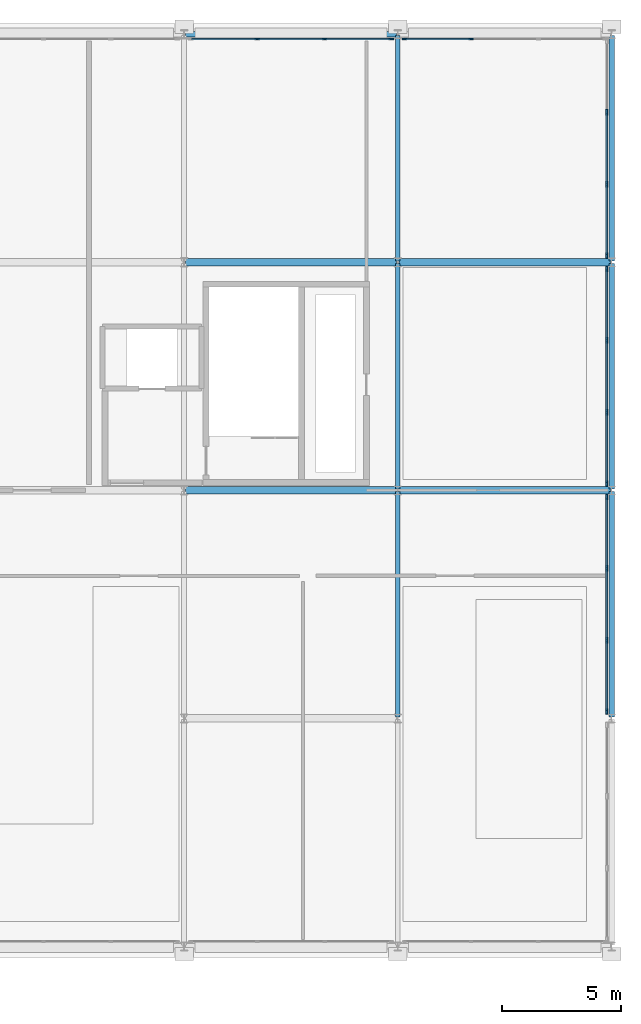
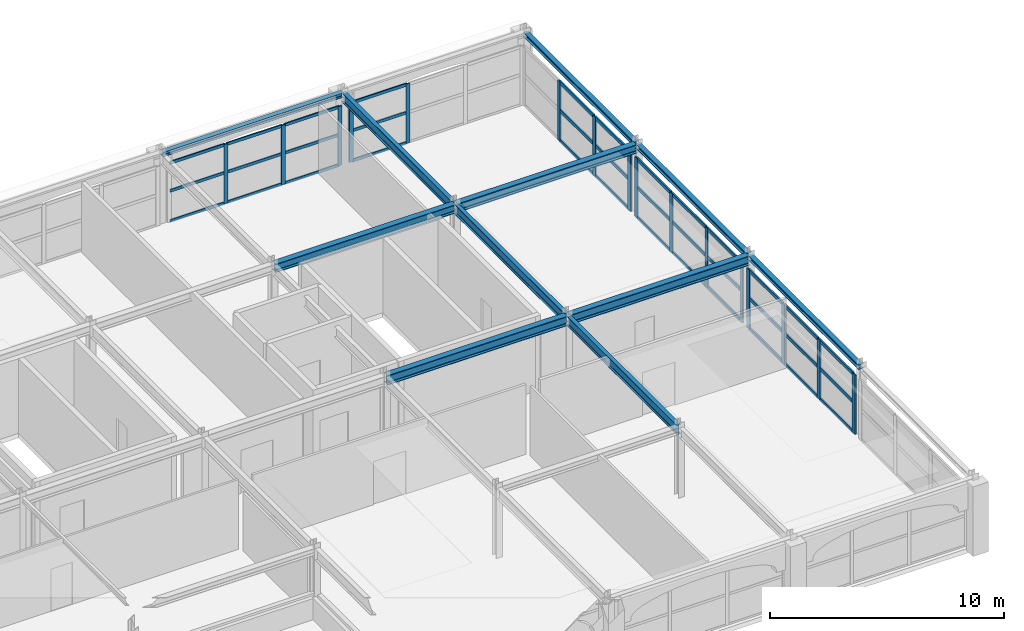
# One storey, part 15 of 25: 52 members, 11 beams, 5 elements without a shape of their own.
"""IFC4 building model written with IfcOpenShell, lengths in metres."""

from ifc_helpers import new_model, si_unit, direction, frame, origin, origin_2d, place, context, subcontext, project, spatial, rectangle, i_section, extrude, material, layer, layer_set, material_profile, profile_set, type_object, element, aggregate, save


model = new_model("IFC4")

# Units and contexts
model_context = context("Model", 3, precision=1e-05, world=origin(), true_north=direction((0.0, 1.0)))
body_context = subcontext(model_context, "Body", "Model", "MODEL_VIEW")
ifc_project = project(units=[si_unit("LENGTHUNIT", "METRE"), si_unit("AREAUNIT", "SQUARE_METRE"), si_unit("VOLUMEUNIT", "CUBIC_METRE"), si_unit("PLANEANGLEUNIT", "RADIAN"), si_unit("MASSUNIT", "GRAM", prefix="KILO")], contexts=[model_context])

# Site, building, storey
site_placement = place(None, origin())
site = spatial("IfcSite", under=ifc_project, at=site_placement, CompositionType="ELEMENT")
building_placement = place(site_placement, origin())
building = spatial("IfcBuilding", under=site, at=building_placement, Name="Myrtia Square Station", CompositionType="ELEMENT")
storey_placement = place(building_placement, frame((0.0, 0.0, 18.89990234375)))
storey = spatial("IfcBuildingStorey", under=building, at=storey_placement, Name="L04", CompositionType="ELEMENT", Elevation=18.89990234375)

# Beams
ifc_material_1 = material(Name="Steel S355", Category="steel")
ifc_material_profile_1 = material_profile(ifc_material_1, i_section(OverallWidth=0.300048828125, OverallDepth=0.449951171875, WebThickness=0.013916015625, FlangeThickness=0.02587890625, FilletRadius=0.027099609375, at=origin_2d()), Name="HEB 450")
ifc_profile_set_1 = profile_set([ifc_material_profile_1], Name="Steel S355")
beam_type_1 = type_object("IfcBeamType", Name="BM-HEB450", PredefinedType="BEAM", material=ifc_profile_set_1)
for number, where, z_axis, x_axis, name in (
    (1, (171.050048828125, 115.199951171875, 3.43017578125), (1.0, 0.0, 0.0), (0.0, 1.0, 0.0), "Structural girder BMX-L04-0892"),
    (2, (180.050048828125, 115.199951171875, 3.43017578125), (1.0, 0.0, 0.0), (0.0, 1.0, 0.0), "Structural girder BMX-L04-0893"),
):
    element("IfcBeam", number, at=place(storey_placement, frame(where, z_axis=z_axis, x_axis=x_axis)), inside=storey, type_object=beam_type_1, Name=name, PredefinedType="BEAM", context=body_context, shape_type="SweptSolid", body=[
        extrude(i_section(OverallWidth=0.300048828125, OverallDepth=0.449951171875, WebThickness=0.013916015625, FlangeThickness=0.02587890625, FilletRadius=0.027099609375, at=origin_2d()), origin(), (0.0, 0.0, 1.0), 8.89990234375),
    ])
ifc_material_profile_2 = material_profile(ifc_material_1, i_section(OverallWidth=0.300048828125, OverallDepth=0.5, WebThickness=0.014404296875, FlangeThickness=0.028076171875, FilletRadius=0.027099609375, at=origin_2d()), Name="HEB 500")
ifc_profile_set_2 = profile_set([ifc_material_profile_2], Name="Steel S355")
beam_type_2 = type_object("IfcBeamType", Name="BM-HEB500", PredefinedType="BEAM", material=ifc_profile_set_2)
for number, where, z_axis, x_axis, name in (
    (3, (171.050048828125, 105.60009765625, 3.405029296875), (1.0, 0.0, 0.0), (0.0, 1.0, 0.0), "Structural girder BMX-L04-0885"),
    (4, (180.050048828125, 105.60009765625, 3.405029296875), (1.0, 0.0, 0.0), (0.0, 1.0, 0.0), "Structural girder BMX-L04-0886"),
):
    element("IfcBeam", number, at=place(storey_placement, frame(where, z_axis=z_axis, x_axis=x_axis)), inside=storey, type_object=beam_type_2, Name=name, PredefinedType="BEAM", context=body_context, shape_type="SweptSolid", body=[
        extrude(i_section(OverallWidth=0.300048828125, OverallDepth=0.5, WebThickness=0.014404296875, FlangeThickness=0.028076171875, FilletRadius=0.027099609375, at=origin_2d()), origin(), (0.0, 0.0, 1.0), 8.89990234375),
    ])
ifc_material_profile_3 = material_profile(ifc_material_1, i_section(OverallWidth=0.199951171875, OverallDepth=0.5, WebThickness=0.01025390625, FlangeThickness=0.01611328125, FilletRadius=0.02099609375, at=origin_2d()), Name="IPE 500")
ifc_profile_set_3 = profile_set([ifc_material_profile_3], Name="Steel S355")
beam_type_3 = type_object("IfcBeamType", Name="BM-IPE500", PredefinedType="BEAM", material=ifc_profile_set_3)
for number, where, z_axis, x_axis, name in (
    (5, (180.0, 96.050048828125, 3.405029296875), (0.0, 1.0, 0.0), (-1.0, 0.0, 0.0), "Structural girder BMY-L04-0918"),
    (6, (180.0, 105.64990234375, 3.405029296875), (0.0, 1.0, 0.0), (-1.0, 0.0, 0.0), "Structural girder BMY-L04-0919"),
    (7, (180.0, 115.25, 3.405029296875), (0.0, 1.0, 0.0), (-1.0, 0.0, 0.0), "Structural girder BMY-L04-0920"),
):
    element("IfcBeam", number, at=place(storey_placement, frame(where, z_axis=z_axis, x_axis=x_axis)), inside=storey, type_object=beam_type_3, Name=name, PredefinedType="BEAM", context=body_context, shape_type="SweptSolid", body=[
        extrude(i_section(OverallWidth=0.199951171875, OverallDepth=0.5, WebThickness=0.01025390625, FlangeThickness=0.01611328125, FilletRadius=0.02099609375, at=origin_2d()), origin(), (0.0, 0.0, 1.0), 9.5),
    ])

# Curtain wall, members
ifc_material_2 = material(Name="Dark bronze anodised aluminium", Category="aluminium")
ifc_layer_1 = layer(ifc_material_2, 0.159912109375, Name="Dark bronze anodised aluminium")
ifc_layer_set_1 = layer_set([ifc_layer_1], Name="Dark bronze anodised aluminium")
curtain_wall_type_1 = type_object("IfcCurtainWallType", Name="CW-TYPE-42-850x310", PredefinedType="USERDEFINED", material=ifc_layer_set_1)
curtain_wall_1_placement = place(storey_placement, origin())
curtain_wall_1 = element("IfcCurtainWall", 8, at=curtain_wall_1_placement, inside=storey, type_object=curtain_wall_type_1, Name="Concourse curtain wall CW-L04-144", ObjectType="CONCOURSE CURTAIN WALL", PredefinedType="USERDEFINED")
ifc_material_profile_4 = material_profile(ifc_material_2, rectangle(XDim=0.06494140625, YDim=0.199951171875, at=origin_2d()), Name="ALU-M 65x200")
ifc_profile_set_4 = profile_set([ifc_material_profile_4], Name="Dark bronze anodised aluminium")
member_type_1 = type_object("IfcMemberType", Name="CWM-65x200", PredefinedType="MULLION", material=ifc_profile_set_4)
member_1_placement = place(storey_placement, frame((174.083251953125, 124.60009765625, 0.0), z_axis=(0.0, 0.0, 1.0), x_axis=(0.0, 1.0, 0.0)))
member_1 = element("IfcMember", 9, at=member_1_placement, type_object=member_type_1, Name="CW-144 mullion 2", PredefinedType="MULLION", context=body_context, shape_type="SweptSolid", body=[
    extrude(rectangle(XDim=0.06494140625, YDim=0.199951171875, at=origin_2d()), origin(), (0.0, 0.0, 1.0), 3.10009765625),
])
member_2_placement = place(storey_placement, frame((176.916748046875, 124.60009765625, 0.0), z_axis=(0.0, 0.0, 1.0), x_axis=(0.0, 1.0, 0.0)))
member_2 = element("IfcMember", 10, at=member_2_placement, type_object=member_type_1, Name="CW-144 mullion 3", PredefinedType="MULLION", context=body_context, shape_type="SweptSolid", body=[
    extrude(rectangle(XDim=0.06494140625, YDim=0.199951171875, at=origin_2d()), origin(), (0.0, 0.0, 1.0), 3.10009765625),
])
member_3_placement = place(storey_placement, frame((179.717529296875, 124.60009765625, 0.0), z_axis=(0.0, 0.0, 1.0), x_axis=(0.0, 1.0, 0.0)))
member_3 = element("IfcMember", 11, at=member_3_placement, type_object=member_type_1, Name="CW-144 mullion 4", PredefinedType="MULLION", context=body_context, shape_type="SweptSolid", body=[
    extrude(rectangle(XDim=0.06494140625, YDim=0.199951171875, at=origin_2d()), origin(), (0.0, 0.0, 1.0), 3.10009765625),
])

curtain_wall_2_placement = place(storey_placement, origin())
curtain_wall_2 = element("IfcCurtainWall", 12, at=curtain_wall_2_placement, inside=storey, type_object=curtain_wall_type_1, Name="Concourse curtain wall CW-L04-149", ObjectType="CONCOURSE CURTAIN WALL", PredefinedType="USERDEFINED")
member_4_placement = place(storey_placement, frame((180.282470703125, 124.60009765625, 0.0), z_axis=(0.0, 0.0, 1.0), x_axis=(0.0, 1.0, 0.0)))
member_4 = element("IfcMember", 13, at=member_4_placement, type_object=member_type_1, Name="CW-149 mullion 1", PredefinedType="MULLION", context=body_context, shape_type="SweptSolid", body=[
    extrude(rectangle(XDim=0.06494140625, YDim=0.199951171875, at=origin_2d()), origin(), (0.0, 0.0, 1.0), 3.10009765625),
])
member_5_placement = place(storey_placement, frame((183.083251953125, 124.60009765625, 0.0), z_axis=(0.0, 0.0, 1.0), x_axis=(0.0, 1.0, 0.0)))
member_5 = element("IfcMember", 14, at=member_5_placement, type_object=member_type_1, Name="CW-149 mullion 2", PredefinedType="MULLION", context=body_context, shape_type="SweptSolid", body=[
    extrude(rectangle(XDim=0.06494140625, YDim=0.199951171875, at=origin_2d()), origin(), (0.0, 0.0, 1.0), 3.10009765625),
])

ifc_layer_2 = layer(ifc_material_2, 0.159912109375, Name="Dark bronze anodised aluminium")
ifc_layer_set_2 = layer_set([ifc_layer_2], Name="Dark bronze anodised aluminium")
curtain_wall_type_2 = type_object("IfcCurtainWallType", Name="CW-TYPE-46-910x310", PredefinedType="USERDEFINED", material=ifc_layer_set_2)
curtain_wall_3_placement = place(storey_placement, origin())
curtain_wall_3 = element("IfcCurtainWall", 15, at=curtain_wall_3_placement, inside=storey, type_object=curtain_wall_type_2, Name="Concourse curtain wall CW-L04-152", ObjectType="CONCOURSE CURTAIN WALL", PredefinedType="USERDEFINED")
ifc_material_profile_5 = material_profile(ifc_material_2, rectangle(XDim=0.074951171875, YDim=0.239990234375, at=origin_2d()), Name="ALU-M 75x240")
ifc_profile_set_5 = profile_set([ifc_material_profile_5], Name="Dark bronze anodised aluminium")
member_type_2 = type_object("IfcMemberType", Name="CWM-75x240", PredefinedType="MULLION", material=ifc_profile_set_5)
member_6_placement = place(storey_placement, frame((188.800048828125, 96.28759765625, 0.0), z_axis=(0.0, 0.0, 1.0), x_axis=(-1.0, 0.0, 0.0)))
member_6 = element("IfcMember", 16, at=member_6_placement, type_object=member_type_2, Name="CW-152 mullion 1", PredefinedType="MULLION", context=body_context, shape_type="SweptSolid", body=[
    extrude(rectangle(XDim=0.074951171875, YDim=0.239990234375, at=origin_2d()), origin(), (0.0, 0.0, 1.0), 3.10009765625),
])
member_7_placement = place(storey_placement, frame((188.800048828125, 99.283447265625, 0.0), z_axis=(0.0, 0.0, 1.0), x_axis=(-1.0, 0.0, 0.0)))
member_7 = element("IfcMember", 17, at=member_7_placement, type_object=member_type_2, Name="CW-152 mullion 2", PredefinedType="MULLION", context=body_context, shape_type="SweptSolid", body=[
    extrude(rectangle(XDim=0.074951171875, YDim=0.239990234375, at=origin_2d()), origin(), (0.0, 0.0, 1.0), 3.10009765625),
])
member_8_placement = place(storey_placement, frame((188.800048828125, 102.316650390625, 0.0), z_axis=(0.0, 0.0, 1.0), x_axis=(-1.0, 0.0, 0.0)))
member_8 = element("IfcMember", 18, at=member_8_placement, type_object=member_type_2, Name="CW-152 mullion 3", PredefinedType="MULLION", context=body_context, shape_type="SweptSolid", body=[
    extrude(rectangle(XDim=0.074951171875, YDim=0.239990234375, at=origin_2d()), origin(), (0.0, 0.0, 1.0), 3.10009765625),
])
member_9_placement = place(storey_placement, frame((188.800048828125, 105.3125, 0.0), z_axis=(0.0, 0.0, 1.0), x_axis=(-1.0, 0.0, 0.0)))
member_9 = element("IfcMember", 19, at=member_9_placement, type_object=member_type_2, Name="CW-152 mullion 4", PredefinedType="MULLION", context=body_context, shape_type="SweptSolid", body=[
    extrude(rectangle(XDim=0.074951171875, YDim=0.239990234375, at=origin_2d()), origin(), (0.0, 0.0, 1.0), 3.10009765625),
])

curtain_wall_4_placement = place(storey_placement, origin())
curtain_wall_4 = element("IfcCurtainWall", 20, at=curtain_wall_4_placement, inside=storey, type_object=curtain_wall_type_2, Name="Concourse curtain wall CW-L04-153", ObjectType="CONCOURSE CURTAIN WALL", PredefinedType="USERDEFINED")
member_10_placement = place(storey_placement, frame((188.800048828125, 105.887451171875, 0.0), z_axis=(0.0, 0.0, 1.0), x_axis=(-1.0, 0.0, 0.0)))
member_10 = element("IfcMember", 21, at=member_10_placement, type_object=member_type_2, Name="CW-153 mullion 1", PredefinedType="MULLION", context=body_context, shape_type="SweptSolid", body=[
    extrude(rectangle(XDim=0.074951171875, YDim=0.239990234375, at=origin_2d()), origin(), (0.0, 0.0, 1.0), 3.10009765625),
])
member_11_placement = place(storey_placement, frame((188.800048828125, 108.88330078125, 0.0), z_axis=(0.0, 0.0, 1.0), x_axis=(-1.0, 0.0, 0.0)))
member_11 = element("IfcMember", 22, at=member_11_placement, type_object=member_type_2, Name="CW-153 mullion 2", PredefinedType="MULLION", context=body_context, shape_type="SweptSolid", body=[
    extrude(rectangle(XDim=0.074951171875, YDim=0.239990234375, at=origin_2d()), origin(), (0.0, 0.0, 1.0), 3.10009765625),
])
member_12_placement = place(storey_placement, frame((188.800048828125, 111.916748046875, 0.0), z_axis=(0.0, 0.0, 1.0), x_axis=(-1.0, 0.0, 0.0)))
member_12 = element("IfcMember", 23, at=member_12_placement, type_object=member_type_2, Name="CW-153 mullion 3", PredefinedType="MULLION", context=body_context, shape_type="SweptSolid", body=[
    extrude(rectangle(XDim=0.074951171875, YDim=0.239990234375, at=origin_2d()), origin(), (0.0, 0.0, 1.0), 3.10009765625),
])
member_13_placement = place(storey_placement, frame((188.800048828125, 114.91259765625, 0.0), z_axis=(0.0, 0.0, 1.0), x_axis=(-1.0, 0.0, 0.0)))
member_13 = element("IfcMember", 24, at=member_13_placement, type_object=member_type_2, Name="CW-153 mullion 4", PredefinedType="MULLION", context=body_context, shape_type="SweptSolid", body=[
    extrude(rectangle(XDim=0.074951171875, YDim=0.239990234375, at=origin_2d()), origin(), (0.0, 0.0, 1.0), 3.10009765625),
])

curtain_wall_5_placement = place(storey_placement, origin())
curtain_wall_5 = element("IfcCurtainWall", 25, at=curtain_wall_5_placement, inside=storey, type_object=curtain_wall_type_2, Name="Concourse curtain wall CW-L04-154", ObjectType="CONCOURSE CURTAIN WALL", PredefinedType="USERDEFINED")
member_14_placement = place(storey_placement, frame((188.800048828125, 115.487548828125, 0.0), z_axis=(0.0, 0.0, 1.0), x_axis=(-1.0, 0.0, 0.0)))
member_14 = element("IfcMember", 26, at=member_14_placement, type_object=member_type_2, Name="CW-154 mullion 1", PredefinedType="MULLION", context=body_context, shape_type="SweptSolid", body=[
    extrude(rectangle(XDim=0.074951171875, YDim=0.239990234375, at=origin_2d()), origin(), (0.0, 0.0, 1.0), 3.10009765625),
])
member_15_placement = place(storey_placement, frame((188.800048828125, 118.4833984375, 0.0), z_axis=(0.0, 0.0, 1.0), x_axis=(-1.0, 0.0, 0.0)))
member_15 = element("IfcMember", 27, at=member_15_placement, type_object=member_type_2, Name="CW-154 mullion 2", PredefinedType="MULLION", context=body_context, shape_type="SweptSolid", body=[
    extrude(rectangle(XDim=0.074951171875, YDim=0.239990234375, at=origin_2d()), origin(), (0.0, 0.0, 1.0), 3.10009765625),
])
member_16_placement = place(storey_placement, frame((188.800048828125, 121.5166015625, 0.0), z_axis=(0.0, 0.0, 1.0), x_axis=(-1.0, 0.0, 0.0)))
member_16 = element("IfcMember", 28, at=member_16_placement, type_object=member_type_2, Name="CW-154 mullion 3", PredefinedType="MULLION", context=body_context, shape_type="SweptSolid", body=[
    extrude(rectangle(XDim=0.074951171875, YDim=0.239990234375, at=origin_2d()), origin(), (0.0, 0.0, 1.0), 3.10009765625),
])

# Member
ifc_material_profile_6 = material_profile(ifc_material_2, rectangle(XDim=0.06494140625, YDim=0.14990234375, at=origin_2d()), Name="ALU-T 65x150")
ifc_profile_set_6 = profile_set([ifc_material_profile_6], Name="Dark bronze anodised aluminium")
member_type_3 = type_object("IfcMemberType", Name="CWT-65x150", PredefinedType="USERDEFINED", material=ifc_profile_set_6)
member_17_placement = place(storey_placement, frame((171.31494140625, 124.60009765625, 0.03271484375), z_axis=(1.0, 0.0, 0.0), x_axis=(0.0, 1.0, 0.0)))
member_17 = element("IfcMember", 29, at=member_17_placement, type_object=member_type_3, Name="CW-144 transom 1.1", ObjectType="TRANSOM", PredefinedType="USERDEFINED", context=body_context, shape_type="SweptSolid", body=[
    extrude(rectangle(XDim=0.06494140625, YDim=0.14990234375, at=origin_2d()), origin(), (0.0, 0.0, 1.0), 2.73583984375),
])

member_18_placement = place(storey_placement, frame((171.31494140625, 124.60009765625, 1.612060546875), z_axis=(1.0, 0.0, 0.0), x_axis=(0.0, 1.0, 0.0)))
member_18 = element("IfcMember", 30, at=member_18_placement, type_object=member_type_3, Name="CW-144 transom 1.2", ObjectType="TRANSOM", PredefinedType="USERDEFINED", context=body_context, shape_type="SweptSolid", body=[
    extrude(rectangle(XDim=0.06494140625, YDim=0.14990234375, at=origin_2d()), origin(), (0.0, 0.0, 1.0), 2.73583984375),
])

member_19_placement = place(storey_placement, frame((171.31494140625, 124.60009765625, 3.067626953125), z_axis=(1.0, 0.0, 0.0), x_axis=(0.0, 1.0, 0.0)))
member_19 = element("IfcMember", 31, at=member_19_placement, type_object=member_type_3, Name="CW-144 transom 1.3", ObjectType="TRANSOM", PredefinedType="USERDEFINED", context=body_context, shape_type="SweptSolid", body=[
    extrude(rectangle(XDim=0.06494140625, YDim=0.14990234375, at=origin_2d()), origin(), (0.0, 0.0, 1.0), 2.73583984375),
])

member_20_placement = place(storey_placement, frame((174.11572265625, 124.60009765625, 0.03271484375), z_axis=(1.0, 0.0, 0.0), x_axis=(0.0, 1.0, 0.0)))
member_20 = element("IfcMember", 32, at=member_20_placement, type_object=member_type_3, Name="CW-144 transom 2.1", ObjectType="TRANSOM", PredefinedType="USERDEFINED", context=body_context, shape_type="SweptSolid", body=[
    extrude(rectangle(XDim=0.06494140625, YDim=0.14990234375, at=origin_2d()), origin(), (0.0, 0.0, 1.0), 2.7685546875),
])

member_21_placement = place(storey_placement, frame((174.11572265625, 124.60009765625, 1.612060546875), z_axis=(1.0, 0.0, 0.0), x_axis=(0.0, 1.0, 0.0)))
member_21 = element("IfcMember", 33, at=member_21_placement, type_object=member_type_3, Name="CW-144 transom 2.2", ObjectType="TRANSOM", PredefinedType="USERDEFINED", context=body_context, shape_type="SweptSolid", body=[
    extrude(rectangle(XDim=0.06494140625, YDim=0.14990234375, at=origin_2d()), origin(), (0.0, 0.0, 1.0), 2.7685546875),
])

member_22_placement = place(storey_placement, frame((174.11572265625, 124.60009765625, 3.067626953125), z_axis=(1.0, 0.0, 0.0), x_axis=(0.0, 1.0, 0.0)))
member_22 = element("IfcMember", 34, at=member_22_placement, type_object=member_type_3, Name="CW-144 transom 2.3", ObjectType="TRANSOM", PredefinedType="USERDEFINED", context=body_context, shape_type="SweptSolid", body=[
    extrude(rectangle(XDim=0.06494140625, YDim=0.14990234375, at=origin_2d()), origin(), (0.0, 0.0, 1.0), 2.7685546875),
])

member_23_placement = place(storey_placement, frame((176.94921875, 124.60009765625, 0.03271484375), z_axis=(1.0, 0.0, 0.0), x_axis=(0.0, 1.0, 0.0)))
member_23 = element("IfcMember", 35, at=member_23_placement, type_object=member_type_3, Name="CW-144 transom 3.1", ObjectType="TRANSOM", PredefinedType="USERDEFINED", context=body_context, shape_type="SweptSolid", body=[
    extrude(rectangle(XDim=0.06494140625, YDim=0.14990234375, at=origin_2d()), origin(), (0.0, 0.0, 1.0), 2.73583984375),
])

member_24_placement = place(storey_placement, frame((176.94921875, 124.60009765625, 1.612060546875), z_axis=(1.0, 0.0, 0.0), x_axis=(0.0, 1.0, 0.0)))
member_24 = element("IfcMember", 36, at=member_24_placement, type_object=member_type_3, Name="CW-144 transom 3.2", ObjectType="TRANSOM", PredefinedType="USERDEFINED", context=body_context, shape_type="SweptSolid", body=[
    extrude(rectangle(XDim=0.06494140625, YDim=0.14990234375, at=origin_2d()), origin(), (0.0, 0.0, 1.0), 2.73583984375),
])

member_25_placement = place(storey_placement, frame((176.94921875, 124.60009765625, 3.067626953125), z_axis=(1.0, 0.0, 0.0), x_axis=(0.0, 1.0, 0.0)))
member_25 = element("IfcMember", 37, at=member_25_placement, type_object=member_type_3, Name="CW-144 transom 3.3", ObjectType="TRANSOM", PredefinedType="USERDEFINED", context=body_context, shape_type="SweptSolid", body=[
    extrude(rectangle(XDim=0.06494140625, YDim=0.14990234375, at=origin_2d()), origin(), (0.0, 0.0, 1.0), 2.73583984375),
])

aggregate(curtain_wall_1, [member_1, member_2, member_3, member_17, member_18, member_19, member_20, member_21, member_22, member_23, member_24, member_25])

member_26_placement = place(storey_placement, frame((180.31494140625, 124.60009765625, 0.03271484375), z_axis=(1.0, 0.0, 0.0), x_axis=(0.0, 1.0, 0.0)))
member_26 = element("IfcMember", 38, at=member_26_placement, type_object=member_type_3, Name="CW-149 transom 1.1", ObjectType="TRANSOM", PredefinedType="USERDEFINED", context=body_context, shape_type="SweptSolid", body=[
    extrude(rectangle(XDim=0.06494140625, YDim=0.14990234375, at=origin_2d()), origin(), (0.0, 0.0, 1.0), 2.73583984375),
])

member_27_placement = place(storey_placement, frame((180.31494140625, 124.60009765625, 1.612060546875), z_axis=(1.0, 0.0, 0.0), x_axis=(0.0, 1.0, 0.0)))
member_27 = element("IfcMember", 39, at=member_27_placement, type_object=member_type_3, Name="CW-149 transom 1.2", ObjectType="TRANSOM", PredefinedType="USERDEFINED", context=body_context, shape_type="SweptSolid", body=[
    extrude(rectangle(XDim=0.06494140625, YDim=0.14990234375, at=origin_2d()), origin(), (0.0, 0.0, 1.0), 2.73583984375),
])

member_28_placement = place(storey_placement, frame((180.31494140625, 124.60009765625, 3.067626953125), z_axis=(1.0, 0.0, 0.0), x_axis=(0.0, 1.0, 0.0)))
member_28 = element("IfcMember", 40, at=member_28_placement, type_object=member_type_3, Name="CW-149 transom 1.3", ObjectType="TRANSOM", PredefinedType="USERDEFINED", context=body_context, shape_type="SweptSolid", body=[
    extrude(rectangle(XDim=0.06494140625, YDim=0.14990234375, at=origin_2d()), origin(), (0.0, 0.0, 1.0), 2.73583984375),
])

aggregate(curtain_wall_2, [member_4, member_5, member_26, member_27, member_28])

ifc_material_profile_7 = material_profile(ifc_material_2, rectangle(XDim=0.074951171875, YDim=0.179931640625, at=origin_2d()), Name="ALU-T 75x180")
ifc_profile_set_7 = profile_set([ifc_material_profile_7], Name="Dark bronze anodised aluminium")
member_type_4 = type_object("IfcMemberType", Name="CWT-75x180", PredefinedType="USERDEFINED", material=ifc_profile_set_7)
member_29_placement = place(storey_placement, frame((188.800048828125, 96.324951171875, 0.03759765625), z_axis=(0.0, 1.0, 0.0), x_axis=(-1.0, 0.0, 0.0)))
member_29 = element("IfcMember", 41, at=member_29_placement, type_object=member_type_4, Name="CW-152 transom 1.1", ObjectType="TRANSOM", PredefinedType="USERDEFINED", context=body_context, shape_type="SweptSolid", body=[
    extrude(rectangle(XDim=0.074951171875, YDim=0.179931640625, at=origin_2d()), origin(), (0.0, 0.0, 1.0), 2.9208984375),
])

member_30_placement = place(storey_placement, frame((188.800048828125, 96.324951171875, 1.612060546875), z_axis=(0.0, 1.0, 0.0), x_axis=(-1.0, 0.0, 0.0)))
member_30 = element("IfcMember", 42, at=member_30_placement, type_object=member_type_4, Name="CW-152 transom 1.2", ObjectType="TRANSOM", PredefinedType="USERDEFINED", context=body_context, shape_type="SweptSolid", body=[
    extrude(rectangle(XDim=0.074951171875, YDim=0.179931640625, at=origin_2d()), origin(), (0.0, 0.0, 1.0), 2.9208984375),
])

member_31_placement = place(storey_placement, frame((188.800048828125, 96.324951171875, 3.0625), z_axis=(0.0, 1.0, 0.0), x_axis=(-1.0, 0.0, 0.0)))
member_31 = element("IfcMember", 43, at=member_31_placement, type_object=member_type_4, Name="CW-152 transom 1.3", ObjectType="TRANSOM", PredefinedType="USERDEFINED", context=body_context, shape_type="SweptSolid", body=[
    extrude(rectangle(XDim=0.074951171875, YDim=0.179931640625, at=origin_2d()), origin(), (0.0, 0.0, 1.0), 2.9208984375),
])

member_32_placement = place(storey_placement, frame((188.800048828125, 99.32080078125, 0.03759765625), z_axis=(0.0, 1.0, 0.0), x_axis=(-1.0, 0.0, 0.0)))
member_32 = element("IfcMember", 44, at=member_32_placement, type_object=member_type_4, Name="CW-152 transom 2.1", ObjectType="TRANSOM", PredefinedType="USERDEFINED", context=body_context, shape_type="SweptSolid", body=[
    extrude(rectangle(XDim=0.074951171875, YDim=0.179931640625, at=origin_2d()), origin(), (0.0, 0.0, 1.0), 2.958251953125),
])

member_33_placement = place(storey_placement, frame((188.800048828125, 99.32080078125, 1.612060546875), z_axis=(0.0, 1.0, 0.0), x_axis=(-1.0, 0.0, 0.0)))
member_33 = element("IfcMember", 45, at=member_33_placement, type_object=member_type_4, Name="CW-152 transom 2.2", ObjectType="TRANSOM", PredefinedType="USERDEFINED", context=body_context, shape_type="SweptSolid", body=[
    extrude(rectangle(XDim=0.074951171875, YDim=0.179931640625, at=origin_2d()), origin(), (0.0, 0.0, 1.0), 2.958251953125),
])

member_34_placement = place(storey_placement, frame((188.800048828125, 99.32080078125, 3.0625), z_axis=(0.0, 1.0, 0.0), x_axis=(-1.0, 0.0, 0.0)))
member_34 = element("IfcMember", 46, at=member_34_placement, type_object=member_type_4, Name="CW-152 transom 2.3", ObjectType="TRANSOM", PredefinedType="USERDEFINED", context=body_context, shape_type="SweptSolid", body=[
    extrude(rectangle(XDim=0.074951171875, YDim=0.179931640625, at=origin_2d()), origin(), (0.0, 0.0, 1.0), 2.958251953125),
])

member_35_placement = place(storey_placement, frame((188.800048828125, 102.354248046875, 0.03759765625), z_axis=(0.0, 1.0, 0.0), x_axis=(-1.0, 0.0, 0.0)))
member_35 = element("IfcMember", 47, at=member_35_placement, type_object=member_type_4, Name="CW-152 transom 3.1", ObjectType="TRANSOM", PredefinedType="USERDEFINED", context=body_context, shape_type="SweptSolid", body=[
    extrude(rectangle(XDim=0.074951171875, YDim=0.179931640625, at=origin_2d()), origin(), (0.0, 0.0, 1.0), 2.920654296875),
])

member_36_placement = place(storey_placement, frame((188.800048828125, 102.354248046875, 1.612060546875), z_axis=(0.0, 1.0, 0.0), x_axis=(-1.0, 0.0, 0.0)))
member_36 = element("IfcMember", 48, at=member_36_placement, type_object=member_type_4, Name="CW-152 transom 3.2", ObjectType="TRANSOM", PredefinedType="USERDEFINED", context=body_context, shape_type="SweptSolid", body=[
    extrude(rectangle(XDim=0.074951171875, YDim=0.179931640625, at=origin_2d()), origin(), (0.0, 0.0, 1.0), 2.920654296875),
])

member_37_placement = place(storey_placement, frame((188.800048828125, 102.354248046875, 3.0625), z_axis=(0.0, 1.0, 0.0), x_axis=(-1.0, 0.0, 0.0)))
member_37 = element("IfcMember", 49, at=member_37_placement, type_object=member_type_4, Name="CW-152 transom 3.3", ObjectType="TRANSOM", PredefinedType="USERDEFINED", context=body_context, shape_type="SweptSolid", body=[
    extrude(rectangle(XDim=0.074951171875, YDim=0.179931640625, at=origin_2d()), origin(), (0.0, 0.0, 1.0), 2.920654296875),
])

aggregate(curtain_wall_3, [member_6, member_7, member_8, member_9, member_29, member_30, member_31, member_32, member_33, member_34, member_35, member_36, member_37])

member_38_placement = place(storey_placement, frame((188.800048828125, 105.925048828125, 0.03759765625), z_axis=(0.0, 1.0, 0.0), x_axis=(-1.0, 0.0, 0.0)))
member_38 = element("IfcMember", 50, at=member_38_placement, type_object=member_type_4, Name="CW-153 transom 1.1", ObjectType="TRANSOM", PredefinedType="USERDEFINED", context=body_context, shape_type="SweptSolid", body=[
    extrude(rectangle(XDim=0.074951171875, YDim=0.179931640625, at=origin_2d()), origin(), (0.0, 0.0, 1.0), 2.9208984375),
])

member_39_placement = place(storey_placement, frame((188.800048828125, 105.925048828125, 1.612060546875), z_axis=(0.0, 1.0, 0.0), x_axis=(-1.0, 0.0, 0.0)))
member_39 = element("IfcMember", 51, at=member_39_placement, type_object=member_type_4, Name="CW-153 transom 1.2", ObjectType="TRANSOM", PredefinedType="USERDEFINED", context=body_context, shape_type="SweptSolid", body=[
    extrude(rectangle(XDim=0.074951171875, YDim=0.179931640625, at=origin_2d()), origin(), (0.0, 0.0, 1.0), 2.9208984375),
])

member_40_placement = place(storey_placement, frame((188.800048828125, 105.925048828125, 3.0625), z_axis=(0.0, 1.0, 0.0), x_axis=(-1.0, 0.0, 0.0)))
member_40 = element("IfcMember", 52, at=member_40_placement, type_object=member_type_4, Name="CW-153 transom 1.3", ObjectType="TRANSOM", PredefinedType="USERDEFINED", context=body_context, shape_type="SweptSolid", body=[
    extrude(rectangle(XDim=0.074951171875, YDim=0.179931640625, at=origin_2d()), origin(), (0.0, 0.0, 1.0), 2.9208984375),
])

member_41_placement = place(storey_placement, frame((188.800048828125, 108.9208984375, 0.03759765625), z_axis=(0.0, 1.0, 0.0), x_axis=(-1.0, 0.0, 0.0)))
member_41 = element("IfcMember", 53, at=member_41_placement, type_object=member_type_4, Name="CW-153 transom 2.1", ObjectType="TRANSOM", PredefinedType="USERDEFINED", context=body_context, shape_type="SweptSolid", body=[
    extrude(rectangle(XDim=0.074951171875, YDim=0.179931640625, at=origin_2d()), origin(), (0.0, 0.0, 1.0), 2.958251953125),
])

member_42_placement = place(storey_placement, frame((188.800048828125, 108.9208984375, 1.612060546875), z_axis=(0.0, 1.0, 0.0), x_axis=(-1.0, 0.0, 0.0)))
member_42 = element("IfcMember", 54, at=member_42_placement, type_object=member_type_4, Name="CW-153 transom 2.2", ObjectType="TRANSOM", PredefinedType="USERDEFINED", context=body_context, shape_type="SweptSolid", body=[
    extrude(rectangle(XDim=0.074951171875, YDim=0.179931640625, at=origin_2d()), origin(), (0.0, 0.0, 1.0), 2.958251953125),
])

member_43_placement = place(storey_placement, frame((188.800048828125, 108.9208984375, 3.0625), z_axis=(0.0, 1.0, 0.0), x_axis=(-1.0, 0.0, 0.0)))
member_43 = element("IfcMember", 55, at=member_43_placement, type_object=member_type_4, Name="CW-153 transom 2.3", ObjectType="TRANSOM", PredefinedType="USERDEFINED", context=body_context, shape_type="SweptSolid", body=[
    extrude(rectangle(XDim=0.074951171875, YDim=0.179931640625, at=origin_2d()), origin(), (0.0, 0.0, 1.0), 2.958251953125),
])

member_44_placement = place(storey_placement, frame((188.800048828125, 111.9541015625, 0.03759765625), z_axis=(0.0, 1.0, 0.0), x_axis=(-1.0, 0.0, 0.0)))
member_44 = element("IfcMember", 56, at=member_44_placement, type_object=member_type_4, Name="CW-153 transom 3.1", ObjectType="TRANSOM", PredefinedType="USERDEFINED", context=body_context, shape_type="SweptSolid", body=[
    extrude(rectangle(XDim=0.074951171875, YDim=0.179931640625, at=origin_2d()), origin(), (0.0, 0.0, 1.0), 2.9208984375),
])

member_45_placement = place(storey_placement, frame((188.800048828125, 111.9541015625, 1.612060546875), z_axis=(0.0, 1.0, 0.0), x_axis=(-1.0, 0.0, 0.0)))
member_45 = element("IfcMember", 57, at=member_45_placement, type_object=member_type_4, Name="CW-153 transom 3.2", ObjectType="TRANSOM", PredefinedType="USERDEFINED", context=body_context, shape_type="SweptSolid", body=[
    extrude(rectangle(XDim=0.074951171875, YDim=0.179931640625, at=origin_2d()), origin(), (0.0, 0.0, 1.0), 2.9208984375),
])

member_46_placement = place(storey_placement, frame((188.800048828125, 111.9541015625, 3.0625), z_axis=(0.0, 1.0, 0.0), x_axis=(-1.0, 0.0, 0.0)))
member_46 = element("IfcMember", 58, at=member_46_placement, type_object=member_type_4, Name="CW-153 transom 3.3", ObjectType="TRANSOM", PredefinedType="USERDEFINED", context=body_context, shape_type="SweptSolid", body=[
    extrude(rectangle(XDim=0.074951171875, YDim=0.179931640625, at=origin_2d()), origin(), (0.0, 0.0, 1.0), 2.9208984375),
])

aggregate(curtain_wall_4, [member_10, member_11, member_12, member_13, member_38, member_39, member_40, member_41, member_42, member_43, member_44, member_45, member_46])

member_47_placement = place(storey_placement, frame((188.800048828125, 115.52490234375, 0.03759765625), z_axis=(0.0, 1.0, 0.0), x_axis=(-1.0, 0.0, 0.0)))
member_47 = element("IfcMember", 59, at=member_47_placement, type_object=member_type_4, Name="CW-154 transom 1.1", ObjectType="TRANSOM", PredefinedType="USERDEFINED", context=body_context, shape_type="SweptSolid", body=[
    extrude(rectangle(XDim=0.074951171875, YDim=0.179931640625, at=origin_2d()), origin(), (0.0, 0.0, 1.0), 2.9208984375),
])

member_48_placement = place(storey_placement, frame((188.800048828125, 115.52490234375, 1.612060546875), z_axis=(0.0, 1.0, 0.0), x_axis=(-1.0, 0.0, 0.0)))
member_48 = element("IfcMember", 60, at=member_48_placement, type_object=member_type_4, Name="CW-154 transom 1.2", ObjectType="TRANSOM", PredefinedType="USERDEFINED", context=body_context, shape_type="SweptSolid", body=[
    extrude(rectangle(XDim=0.074951171875, YDim=0.179931640625, at=origin_2d()), origin(), (0.0, 0.0, 1.0), 2.9208984375),
])

member_49_placement = place(storey_placement, frame((188.800048828125, 115.52490234375, 3.0625), z_axis=(0.0, 1.0, 0.0), x_axis=(-1.0, 0.0, 0.0)))
member_49 = element("IfcMember", 61, at=member_49_placement, type_object=member_type_4, Name="CW-154 transom 1.3", ObjectType="TRANSOM", PredefinedType="USERDEFINED", context=body_context, shape_type="SweptSolid", body=[
    extrude(rectangle(XDim=0.074951171875, YDim=0.179931640625, at=origin_2d()), origin(), (0.0, 0.0, 1.0), 2.9208984375),
])

member_50_placement = place(storey_placement, frame((188.800048828125, 118.520751953125, 0.03759765625), z_axis=(0.0, 1.0, 0.0), x_axis=(-1.0, 0.0, 0.0)))
member_50 = element("IfcMember", 62, at=member_50_placement, type_object=member_type_4, Name="CW-154 transom 2.1", ObjectType="TRANSOM", PredefinedType="USERDEFINED", context=body_context, shape_type="SweptSolid", body=[
    extrude(rectangle(XDim=0.074951171875, YDim=0.179931640625, at=origin_2d()), origin(), (0.0, 0.0, 1.0), 2.95849609375),
])

member_51_placement = place(storey_placement, frame((188.800048828125, 118.520751953125, 1.612060546875), z_axis=(0.0, 1.0, 0.0), x_axis=(-1.0, 0.0, 0.0)))
member_51 = element("IfcMember", 63, at=member_51_placement, type_object=member_type_4, Name="CW-154 transom 2.2", ObjectType="TRANSOM", PredefinedType="USERDEFINED", context=body_context, shape_type="SweptSolid", body=[
    extrude(rectangle(XDim=0.074951171875, YDim=0.179931640625, at=origin_2d()), origin(), (0.0, 0.0, 1.0), 2.95849609375),
])

member_52_placement = place(storey_placement, frame((188.800048828125, 118.520751953125, 3.0625), z_axis=(0.0, 1.0, 0.0), x_axis=(-1.0, 0.0, 0.0)))
member_52 = element("IfcMember", 64, at=member_52_placement, type_object=member_type_4, Name="CW-154 transom 2.3", ObjectType="TRANSOM", PredefinedType="USERDEFINED", context=body_context, shape_type="SweptSolid", body=[
    extrude(rectangle(XDim=0.074951171875, YDim=0.179931640625, at=origin_2d()), origin(), (0.0, 0.0, 1.0), 2.95849609375),
])

aggregate(curtain_wall_5, [member_14, member_15, member_16, member_47, member_48, member_49, member_50, member_51, member_52])

# Beams
ifc_material_profile_8 = material_profile(ifc_material_1, i_section(OverallWidth=0.239990234375, OverallDepth=0.239990234375, WebThickness=0.010009765625, FlangeThickness=0.01708984375, FilletRadius=0.02099609375, at=origin_2d()), Name="HEB 240")
ifc_profile_set_8 = profile_set([ifc_material_profile_8], Name="Steel S355")
beam_type_4 = type_object("IfcBeamType", Name="SPN-HEB240", PredefinedType="SPANDREL", material=ifc_profile_set_8)
beam_placement = place(storey_placement, frame((171.050048828125, 124.800048828125, 3.53515625), z_axis=(1.0, 0.0, 0.0), x_axis=(0.0, 1.0, 0.0)))
element("IfcBeam", 65, at=beam_placement, inside=storey, type_object=beam_type_4, Name="Structural girder SPN-L04-0270", PredefinedType="SPANDREL", context=body_context, shape_type="SweptSolid", body=[
    extrude(i_section(OverallWidth=0.239990234375, OverallDepth=0.239990234375, WebThickness=0.010009765625, FlangeThickness=0.01708984375, FilletRadius=0.02099609375, at=origin_2d()), origin(), (0.0, 0.0, 1.0), 8.89990234375),
])
for number, where, z_axis, x_axis, name in (
    (66, (189.0, 96.050048828125, 3.53515625), (0.0, 1.0, 0.0), (-1.0, 0.0, 0.0), "Structural girder SPNY-L04-0273"),
    (67, (189.0, 105.64990234375, 3.53515625), (0.0, 1.0, 0.0), (-1.0, 0.0, 0.0), "Structural girder SPNY-L04-0274"),
    (68, (189.0, 115.25, 3.53515625), (0.0, 1.0, 0.0), (-1.0, 0.0, 0.0), "Structural girder SPNY-L04-0275"),
):
    element("IfcBeam", number, at=place(storey_placement, frame(where, z_axis=z_axis, x_axis=x_axis)), inside=storey, type_object=beam_type_4, Name=name, PredefinedType="SPANDREL", context=body_context, shape_type="SweptSolid", body=[
        extrude(i_section(OverallWidth=0.239990234375, OverallDepth=0.239990234375, WebThickness=0.010009765625, FlangeThickness=0.01708984375, FilletRadius=0.02099609375, at=origin_2d()), origin(), (0.0, 0.0, 1.0), 9.5),
    ])

save(model, "model.ifc")
